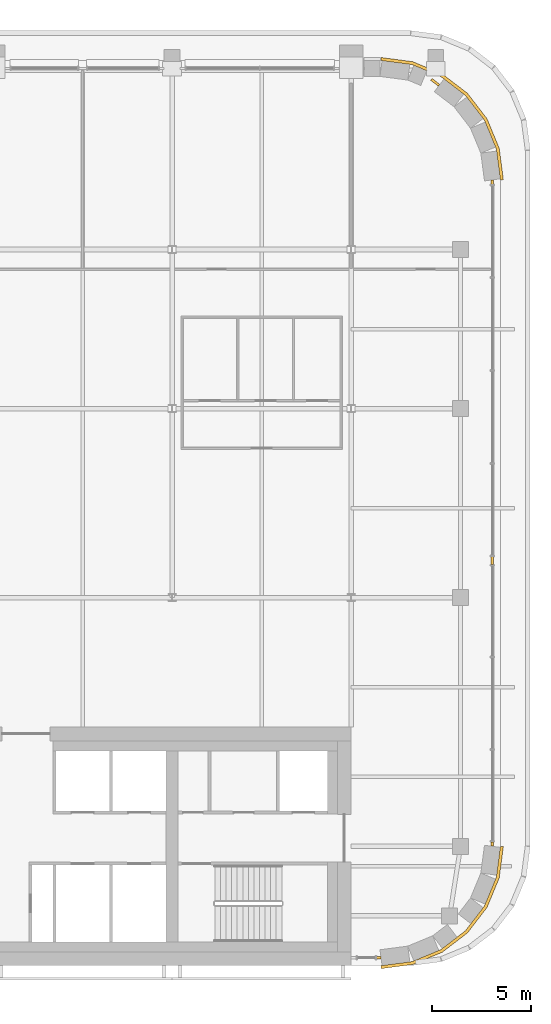
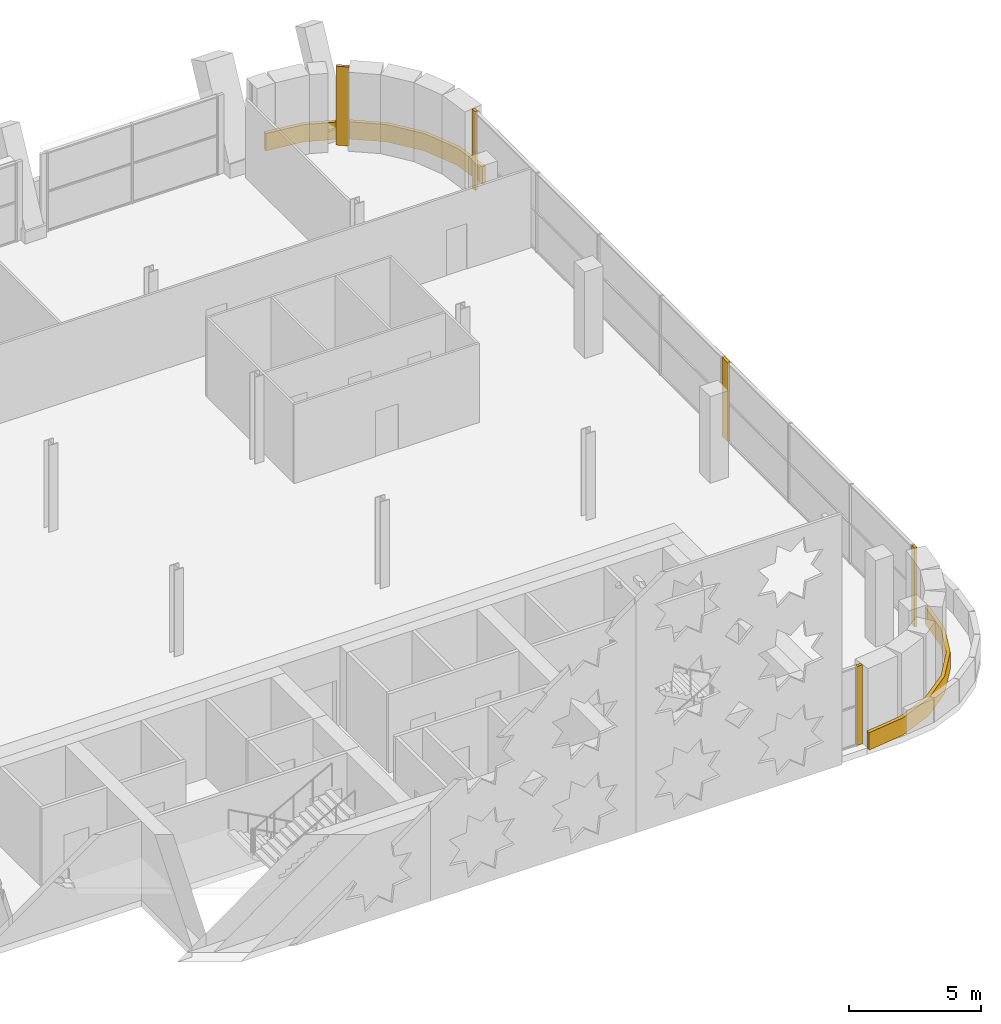
# One storey, part 25 of 25: 7 coverings.
"""IFC4 building model written with IfcOpenShell, lengths in metres."""

from ifc_helpers import new_model, si_unit, direction, frame, origin, origin_2d, place, context, subcontext, project, spatial, polyline, rectangle, outline, extrude, material, layer, layer_set, type_object, element, save


model = new_model("IFC4")

# Units and contexts
model_context = context("Model", 3, precision=1e-05, world=origin(), true_north=direction((0.0, 1.0)))
body_context = subcontext(model_context, "Body", "Model", "MODEL_VIEW")
ifc_project = project(units=[si_unit("LENGTHUNIT", "METRE"), si_unit("AREAUNIT", "SQUARE_METRE"), si_unit("VOLUMEUNIT", "CUBIC_METRE"), si_unit("PLANEANGLEUNIT", "RADIAN"), si_unit("MASSUNIT", "GRAM", prefix="KILO")], contexts=[model_context])

# Site, building, storey
site_placement = place(None, origin())
site = spatial("IfcSite", under=ifc_project, at=site_placement, CompositionType="ELEMENT")
building_placement = place(site_placement, origin())
building = spatial("IfcBuilding", under=site, at=building_placement, Name="Zellij Exchange Tower", CompositionType="ELEMENT")
storey_placement = place(building_placement, frame((0.0, 0.0, 264.5)))
storey = spatial("IfcBuildingStorey", under=building, at=storey_placement, Name="L62", CompositionType="ELEMENT", Elevation=264.5)

# Coverings
ifc_material = material(Name="Limestone cladding", Category="masonry")
ifc_layer_1 = layer(ifc_material, 0.14990234375)
ifc_layer_set_1 = layer_set([ifc_layer_1], Name="Limestone cladding")
covering_type_1 = type_object("IfcCoveringType", Name="ENV-CV1 Stone spandrel band 150", PredefinedType="CLADDING", material=ifc_layer_set_1)
covering_1_placement = place(storey_placement, origin())
element("IfcCovering", 1, at=covering_1_placement, inside=storey, type_object=covering_type_1, Name="Stone spandrel band", PredefinedType="CLADDING", context=body_context, shape_type="SweptSolid", body=[
    extrude(outline(polyline([(28.5, -14.0), (30.052978515625, -13.795654296875), (31.5, -13.1962890625), (32.74267578125, -12.24267578125), (33.6962890625, -11.0), (34.295654296875, -9.552978515625), (34.5, -8.0), (34.64990234375, -8.009765625), (34.441650390625, -9.592041015625), (33.8271484375, -11.07568359375), (32.849609375, -12.349609375), (31.57568359375, -13.3271484375), (30.092041015625, -13.941650390625), (28.509765625, -14.14990234375), (28.5, -14.0)])), origin(), (0.0, 0.0, 1.0), 0.800048828125),
])
covering_2_placement = place(storey_placement, origin())
element("IfcCovering", 2, at=covering_2_placement, inside=storey, type_object=covering_type_1, Name="Stone spandrel band", PredefinedType="CLADDING", context=body_context, shape_type="SweptSolid", body=[
    extrude(outline(polyline([(34.5, 25.5), (34.295654296875, 27.052978515625), (33.6962890625, 28.5), (32.74267578125, 29.74267578125), (31.5, 30.6962890625), (30.052978515625, 31.295654296875), (28.5, 31.5), (28.509765625, 31.64990234375), (30.092041015625, 31.441650390625), (31.57568359375, 30.8271484375), (32.849609375, 29.849609375), (33.8271484375, 28.57568359375), (34.441650390625, 27.092041015625), (34.64990234375, 25.509765625), (34.5, 25.5)])), origin(), (0.0, 0.0, 1.0), 0.800048828125),
])
ifc_layer_2 = layer(ifc_material, 0.1201171875)
ifc_layer_set_2 = layer_set([ifc_layer_2], Name="Limestone cladding")
covering_type_2 = type_object("IfcCoveringType", Name="ENV-CV18 Glazing closer 120", PredefinedType="CLADDING", material=ifc_layer_set_2)
covering_3_placement = place(storey_placement, frame((31.225830078125, 30.40234375, 0.0), z_axis=(0.0, 0.0, 1.0), x_axis=(-0.793316151692, 0.608809891071, 0.0)))
element("IfcCovering", 3, at=covering_3_placement, inside=storey, type_object=covering_type_2, Name="Glazing closer", PredefinedType="CLADDING", context=body_context, shape_type="SweptSolid", body=[
    extrude(rectangle(XDim=0.492919921875, YDim=0.1201171875, at=origin_2d()), origin(), (0.0, 0.0, 1.0), 3.64990234375),
])
covering_4_placement = place(storey_placement, frame((34.10009765625, 6.36083984375, 0.0), z_axis=(0.0, 0.0, 1.0), x_axis=(0.0, 1.0, 0.0)))
element("IfcCovering", 4, at=covering_4_placement, inside=storey, type_object=covering_type_2, Name="Glazing closer", PredefinedType="CLADDING", context=body_context, shape_type="SweptSolid", body=[
    extrude(rectangle(XDim=0.39990234375, YDim=0.1201171875, at=origin_2d()), origin(), (0.0, 0.0, 1.0), 3.64990234375),
])
for number, where, z_axis, x_axis, name in (
    (5, (34.10009765625, 25.383056640625, 0.0), (0.0, 0.0, 1.0), (0.0, 1.0, 0.0), "Glazing closer"),
    (6, (34.10009765625, -7.883056640625, 0.0), (0.0, 0.0, 1.0), (0.0, -1.0, 0.0), "Glazing closer"),
    (7, (28.383056640625, -13.60009765625, 0.0), (0.0, 0.0, 1.0), (1.0, 0.0, 0.0), "Glazing closer"),
):
    element("IfcCovering", number, at=place(storey_placement, frame(where, z_axis=z_axis, x_axis=x_axis)), inside=storey, type_object=covering_type_2, Name=name, PredefinedType="CLADDING", context=body_context, shape_type="SweptSolid", body=[
        extrude(rectangle(XDim=0.218505859375, YDim=0.1201171875, at=origin_2d()), origin(), (0.0, 0.0, 1.0), 3.64990234375),
    ])

save(model, "model.ifc")
